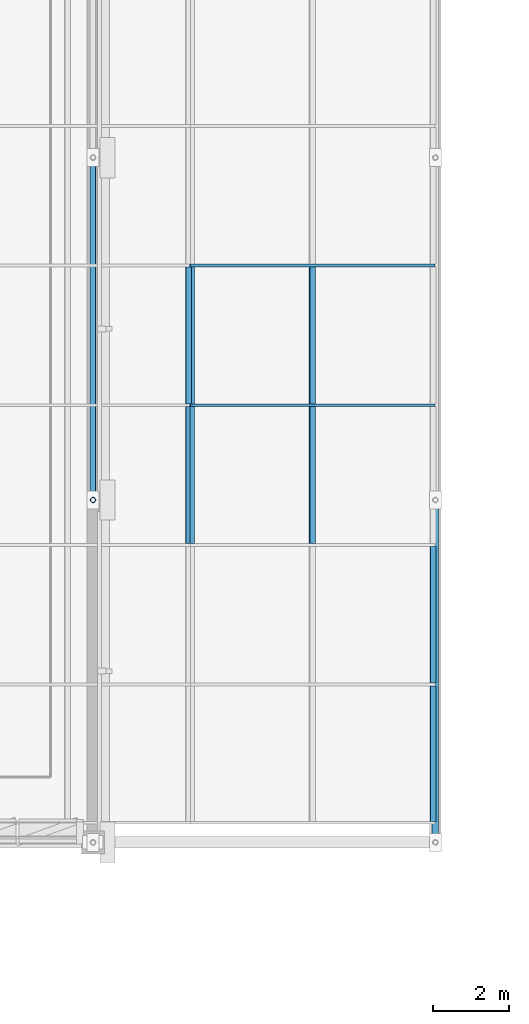
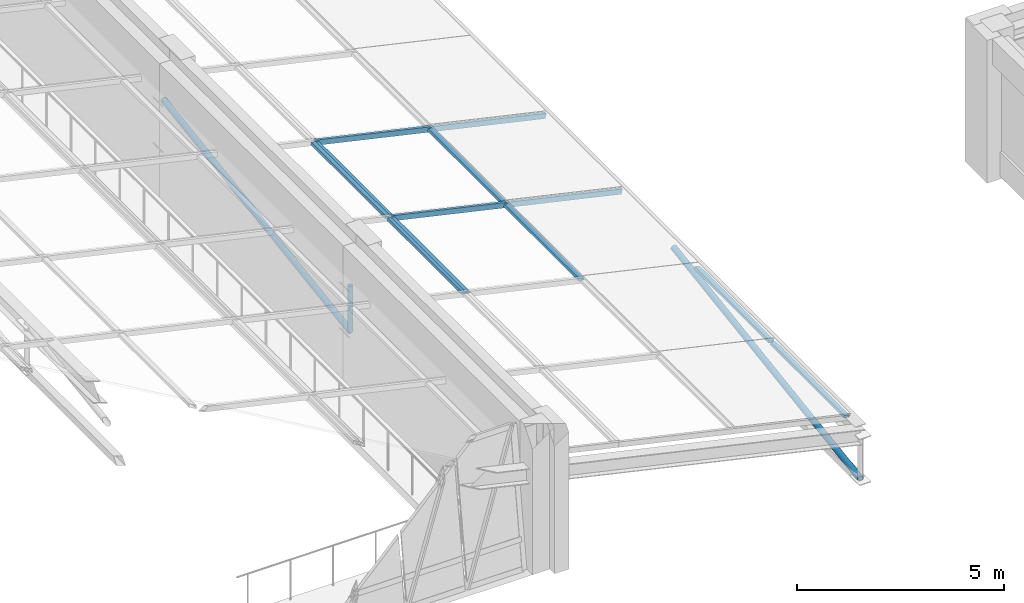
# One storey, part 80 of 130: 13 members, 2 elements without a shape of their own.
"""IFC4 building model written with IfcOpenShell, lengths in metres."""

from ifc_helpers import new_model, si_unit, direction, frame, origin, origin_2d, place, context, subcontext, project, spatial, hollow_rectangle, hollow_circle, extrude, material, material_profile, profile_set, type_object, element, aggregate, save


model = new_model("IFC4")

# Units and contexts
model_context = context("Model", 3, precision=1e-05, world=origin(), true_north=direction((0.0, 1.0)))
body_context = subcontext(model_context, "Body", "Model", "MODEL_VIEW")
ifc_project = project(units=[si_unit("LENGTHUNIT", "METRE"), si_unit("AREAUNIT", "SQUARE_METRE"), si_unit("VOLUMEUNIT", "CUBIC_METRE"), si_unit("PLANEANGLEUNIT", "RADIAN"), si_unit("MASSUNIT", "GRAM", prefix="KILO")], contexts=[model_context])

# Site, building, storey
site_placement = place(None, origin())
site = spatial("IfcSite", under=ifc_project, at=site_placement, CompositionType="ELEMENT")
building_placement = place(site_placement, origin())
building = spatial("IfcBuilding", under=site, at=building_placement, Name="Lykobir Media Centre", CompositionType="ELEMENT")
storey_placement = place(building_placement, frame((0.0, 0.0, 19.199951171875)))
storey = spatial("IfcBuildingStorey", under=building, at=storey_placement, Name="L04", CompositionType="ELEMENT", Elevation=19.199951171875)

# Members
ifc_material_1 = material(Name="Steel S355", Category="steel")
ifc_material_profile_1 = material_profile(ifc_material_1, hollow_circle(Radius=0.06982421875, WallThickness=0.008056640625, at=origin_2d()), Name="CHS 139.7x8.0")
ifc_profile_set_1 = profile_set([ifc_material_profile_1], Name="Steel S355")
member_type_1 = type_object("IfcMemberType", Name="BR-CHS140", PredefinedType="BRACE", material=ifc_profile_set_1)
member_1_placement = place(storey_placement, frame((72.0, 72.0, 2.780029296875), z_axis=(0.0, 0.0, -1.0), x_axis=(1.0, 0.0, 0.0)))
element("IfcMember", 1, at=member_1_placement, inside=storey, type_object=member_type_1, Name="Diagonal brace MEM2-L04-0720-0720-0220-0720-0720-0487", PredefinedType="BRACE", context=body_context, shape_type="SweptSolid", body=[
    extrude(hollow_circle(Radius=0.06982421875, WallThickness=0.008056640625, at=origin_2d()), origin(), (0.0, 0.0, 1.0), 1.35009765625),
])
ifc_material_profile_2 = material_profile(ifc_material_1, hollow_circle(Radius=0.084228515625, WallThickness=0.010009765625, at=origin_2d()), Name="CHS 168.3x10.0")
ifc_profile_set_2 = profile_set([ifc_material_profile_2], Name="Steel S355")
member_type_2 = type_object("IfcMemberType", Name="BR-CHS168", PredefinedType="BRACE", material=ifc_profile_set_2)
member_2_placement = place(storey_placement, frame((72.0, 72.0, 1.429931640625), z_axis=(0.0, 0.988934778637, 0.148350947425), x_axis=(-1.0, 0.0, 0.0)))
element("IfcMember", 2, at=member_2_placement, inside=storey, type_object=member_type_2, Name="Diagonal brace MEM2-L04-0720-0720-0206-0720-0810-0488", PredefinedType="BRACE", context=body_context, shape_type="SweptSolid", body=[
    extrude(hollow_circle(Radius=0.084228515625, WallThickness=0.010009765625, at=origin_2d()), origin(), (0.0, 0.0, 1.0), 9.1005859375),
])
ifc_material_profile_3 = material_profile(ifc_material_1, hollow_circle(Radius=0.084228515625, WallThickness=0.010009765625, at=origin_2d()), Name="CHS 168.3x10.0")
ifc_profile_set_3 = profile_set([ifc_material_profile_3], Name="Steel S355")
member_type_3 = type_object("IfcMemberType", Name="BR-CHS168-E", PredefinedType="BRACE", material=ifc_profile_set_3)
member_3_placement = place(storey_placement, frame((81.0, 63.0, -0.60986328125), z_axis=(0.0, 0.988938714016, 0.148324711095), x_axis=(-1.0, 0.0, 0.0)))
element("IfcMember", 3, at=member_3_placement, inside=storey, type_object=member_type_3, Name="Diagonal brace MEM2-L04-0810-0630-0186-0810-0720-0499", PredefinedType="BRACE", context=body_context, shape_type="SweptSolid", body=[
    extrude(hollow_circle(Radius=0.084228515625, WallThickness=0.010009765625, at=origin_2d()), origin(), (0.0, 0.0, 1.0), 9.1005859375),
])

# Curtain wall, members
ifc_material_2 = material(Name="Anodized Aluminium AW-6060", Category="aluminium")
curtain_wall_type = type_object("IfcCurtainWallType", Name="CW-V6-SKY", PredefinedType="NOTDEFINED", material=ifc_material_2)
curtain_wall_1_placement = place(storey_placement, origin())
curtain_wall_1 = element("IfcCurtainWall", 4, at=curtain_wall_1_placement, inside=storey, type_object=curtain_wall_type, Name="Curtain wall CW-V6-SKY01", PredefinedType="NOTDEFINED")
ifc_material_profile_4 = material_profile(ifc_material_2, hollow_rectangle(XDim=0.074951171875, YDim=0.14990234375, WallThickness=0.00341796875, at=origin_2d()), Name="ALU TRANSOM 75x150")
ifc_profile_set_4 = profile_set([ifc_material_profile_4], Name="Anodized Aluminium AW-6060")
member_type_4 = type_object("IfcMemberType", Name="CWT-150", PredefinedType="USERDEFINED", material=ifc_profile_set_4)
member_4_placement = place(storey_placement, frame((80.977783203125, 78.159912109375, 0.901611328125), z_axis=(-0.97526330388, 0.0, 0.221046348318), x_axis=(0.0, -1.0, 0.0)))
member_4 = element("IfcMember", 5, at=member_4_placement, type_object=member_type_4, Name="CW-V6-SKY01 rafter transom 9", ObjectType="TRANSOM", PredefinedType="USERDEFINED", context=body_context, shape_type="SweptSolid", body=[
    extrude(hollow_rectangle(XDim=0.074951171875, YDim=0.14990234375, WallThickness=0.00341796875, at=origin_2d()), origin(), (0.0, 0.0, 1.0), 6.591552734375),
])
member_5_placement = place(storey_placement, frame((80.977783203125, 74.489990234375, 0.901611328125), z_axis=(-0.97526330388, 0.0, 0.221046348318), x_axis=(0.0, -1.0, 0.0)))
member_5 = element("IfcMember", 6, at=member_5_placement, type_object=member_type_4, Name="CW-V6-SKY01 rafter transom 10", ObjectType="TRANSOM", PredefinedType="USERDEFINED", context=body_context, shape_type="SweptSolid", body=[
    extrude(hollow_rectangle(XDim=0.074951171875, YDim=0.14990234375, WallThickness=0.00341796875, at=origin_2d()), origin(), (0.0, 0.0, 1.0), 6.591552734375),
])
member_6_placement = place(storey_placement, frame((77.763427734375, 78.12255859375, 1.630126953125), z_axis=(0.0, -1.0, 0.0), x_axis=(0.221054901821, 0.0, 0.975261365164)))
member_6 = element("IfcMember", 7, at=member_6_placement, type_object=member_type_4, Name="CW-V6-SKY01 transom 9.2", ObjectType="TRANSOM", PredefinedType="USERDEFINED", context=body_context, shape_type="SweptSolid", body=[
    extrude(hollow_rectangle(XDim=0.074951171875, YDim=0.14990234375, WallThickness=0.00341796875, at=origin_2d()), origin(), (0.0, 0.0, 1.0), 3.594970703125),
])
member_7_placement = place(storey_placement, frame((74.585693359375, 78.12255859375, 2.350341796875), z_axis=(0.0, -1.0, 0.0), x_axis=(0.221054901821, 0.0, 0.975261365164)))
member_7 = element("IfcMember", 8, at=member_7_placement, type_object=member_type_4, Name="CW-V6-SKY01 transom 9.3", ObjectType="TRANSOM", PredefinedType="USERDEFINED", context=body_context, shape_type="SweptSolid", body=[
    extrude(hollow_rectangle(XDim=0.074951171875, YDim=0.14990234375, WallThickness=0.00341796875, at=origin_2d()), origin(), (0.0, 0.0, 1.0), 3.594970703125),
])
member_8_placement = place(storey_placement, frame((77.763427734375, 74.452392578125, 1.630126953125), z_axis=(0.0, -1.0, 0.0), x_axis=(0.221054901821, 0.0, 0.975261365164)))
member_8 = element("IfcMember", 9, at=member_8_placement, type_object=member_type_4, Name="CW-V6-SKY01 transom 10.2", ObjectType="TRANSOM", PredefinedType="USERDEFINED", context=body_context, shape_type="SweptSolid", body=[
    extrude(hollow_rectangle(XDim=0.074951171875, YDim=0.14990234375, WallThickness=0.00341796875, at=origin_2d()), origin(), (0.0, 0.0, 1.0), 3.594970703125),
])
member_9_placement = place(storey_placement, frame((74.585693359375, 74.452392578125, 2.350341796875), z_axis=(0.0, -1.0, 0.0), x_axis=(0.221054901821, 0.0, 0.975261365164)))
member_9 = element("IfcMember", 10, at=member_9_placement, type_object=member_type_4, Name="CW-V6-SKY01 transom 10.3", ObjectType="TRANSOM", PredefinedType="USERDEFINED", context=body_context, shape_type="SweptSolid", body=[
    extrude(hollow_rectangle(XDim=0.074951171875, YDim=0.14990234375, WallThickness=0.00341796875, at=origin_2d()), origin(), (0.0, 0.0, 1.0), 3.594970703125),
])
member_10_placement = place(storey_placement, frame((80.941162109375, 70.782470703125, 0.909912109375), z_axis=(0.0, -1.0, 0.0), x_axis=(0.221054901821, 0.0, 0.975261365164)))
member_10 = element("IfcMember", 11, at=member_10_placement, type_object=member_type_4, Name="CW-V6-SKY01 transom 11.1", ObjectType="TRANSOM", PredefinedType="USERDEFINED", context=body_context, shape_type="SweptSolid", body=[
    extrude(hollow_rectangle(XDim=0.074951171875, YDim=0.14990234375, WallThickness=0.00341796875, at=origin_2d()), origin(), (0.0, 0.0, 1.0), 3.594970703125),
])
member_11_placement = place(storey_placement, frame((80.941162109375, 67.112548828125, 0.909912109375), z_axis=(0.0, -1.0, 0.0), x_axis=(0.221054901821, 0.0, 0.975261365164)))
member_11 = element("IfcMember", 12, at=member_11_placement, type_object=member_type_4, Name="CW-V6-SKY01 transom 12.1", ObjectType="TRANSOM", PredefinedType="USERDEFINED", context=body_context, shape_type="SweptSolid", body=[
    extrude(hollow_rectangle(XDim=0.074951171875, YDim=0.14990234375, WallThickness=0.00341796875, at=origin_2d()), origin(), (0.0, 0.0, 1.0), 3.5576171875),
])
aggregate(curtain_wall_1, [member_4, member_5, member_6, member_7, member_8, member_9, member_10, member_11])

curtain_wall_2_placement = place(storey_placement, origin())
curtain_wall_2 = element("IfcCurtainWall", 13, at=curtain_wall_2_placement, inside=storey, type_object=curtain_wall_type, Name="Curtain wall CW-V6-SKY02", PredefinedType="NOTDEFINED")
member_12_placement = place(storey_placement, frame((74.512451171875, 78.12255859375, 2.366943359375), z_axis=(0.0, -1.0, 0.0), x_axis=(0.221071923309, 0.0, 0.975257506879)))
member_12 = element("IfcMember", 14, at=member_12_placement, type_object=member_type_4, Name="CW-V6-SKY02 transom 9.1", ObjectType="TRANSOM", PredefinedType="USERDEFINED", context=body_context, shape_type="SweptSolid", body=[
    extrude(hollow_rectangle(XDim=0.074951171875, YDim=0.14990234375, WallThickness=0.00341796875, at=origin_2d()), origin(), (0.0, 0.0, 1.0), 3.594970703125),
])
member_13_placement = place(storey_placement, frame((74.512451171875, 74.452392578125, 2.366943359375), z_axis=(0.0, -1.0, 0.0), x_axis=(0.221071923309, 0.0, 0.975257506879)))
member_13 = element("IfcMember", 15, at=member_13_placement, type_object=member_type_4, Name="CW-V6-SKY02 transom 10.1", ObjectType="TRANSOM", PredefinedType="USERDEFINED", context=body_context, shape_type="SweptSolid", body=[
    extrude(hollow_rectangle(XDim=0.074951171875, YDim=0.14990234375, WallThickness=0.00341796875, at=origin_2d()), origin(), (0.0, 0.0, 1.0), 3.594970703125),
])
aggregate(curtain_wall_2, [member_12, member_13])

save(model, "model.ifc")
